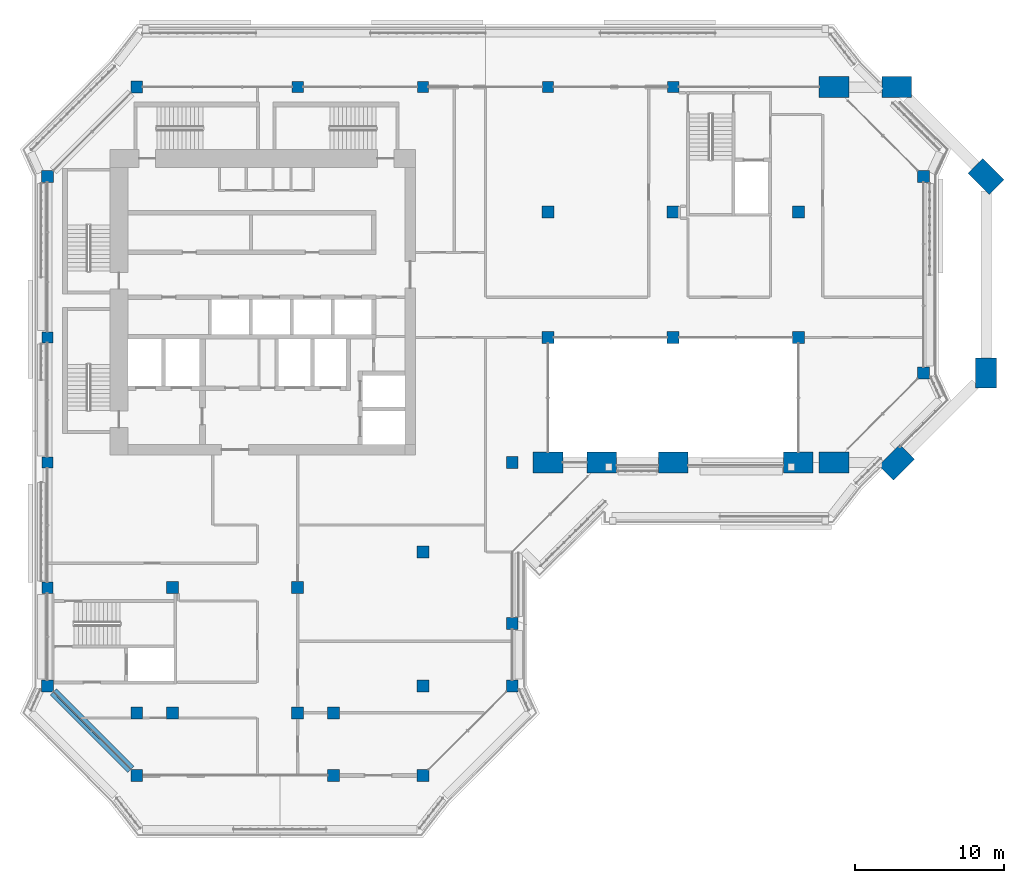
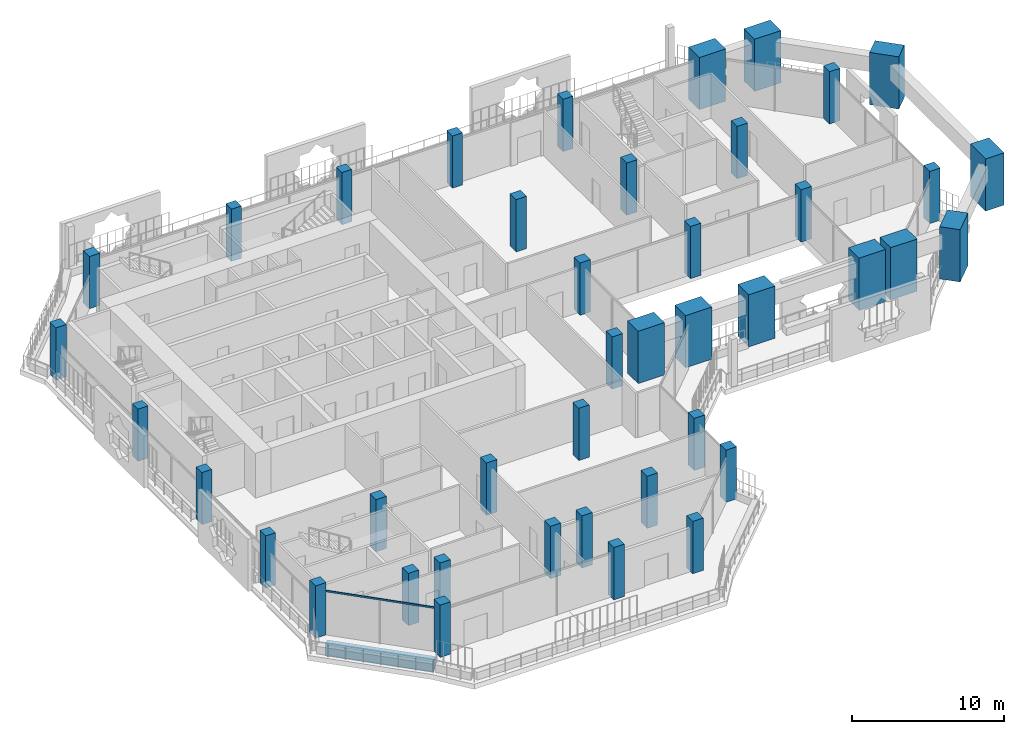
# One storey, part 1 of 22: 42 columns, 1 beam, 1 member, 1 element without a shape of its own.
"""IFC4 building model written with IfcOpenShell, lengths in metres."""

from ifc_helpers import new_model, si_unit, direction, frame, origin, origin_2d, place, context, subcontext, project, spatial, rectangle, extrude, material, layer, layer_set, material_profile, profile_set, type_object, element, aggregate, save


model = new_model("IFC4")

# Units and contexts
model_context = context("Model", 3, precision=1e-05, world=origin(), true_north=direction((0.0, 1.0)))
body_context = subcontext(model_context, "Body", "Model", "MODEL_VIEW")
ifc_project = project(units=[si_unit("LENGTHUNIT", "METRE"), si_unit("AREAUNIT", "SQUARE_METRE"), si_unit("VOLUMEUNIT", "CUBIC_METRE"), si_unit("PLANEANGLEUNIT", "RADIAN"), si_unit("MASSUNIT", "GRAM", prefix="KILO")], contexts=[model_context])

# Site, building, storey
site_placement = place(None, origin())
site = spatial("IfcSite", under=ifc_project, at=site_placement, CompositionType="ELEMENT")
building_placement = place(site_placement, origin())
building = spatial("IfcBuilding", under=site, at=building_placement, Name="Kawkab Arch Medical Tower", CompositionType="ELEMENT")
storey_placement = place(building_placement, frame((0.0, 0.0, 286.0)))
storey = spatial("IfcBuildingStorey", under=building, at=storey_placement, Name="L66", CompositionType="ELEMENT", Elevation=286.0)

# Columns
ifc_material_1 = material(Name="Concrete C40/50", Category="concrete")
ifc_material_profile_1 = material_profile(ifc_material_1, rectangle(XDim=2.0, YDim=1.39990234375, at=origin_2d()), Name="RC 2000x1400")
ifc_profile_set_1 = profile_set([ifc_material_profile_1], Name="Concrete C40/50")
column_type_1 = type_object("IfcColumnType", Name="RC 2000x1400 column C40/50", PredefinedType="COLUMN", material=ifc_profile_set_1)
for number, where, z_axis, x_axis, name in (
    (1, (52.800048828125, 0.0, 0.0), (0.0, 0.0, 1.0), (1.0, 0.0, 0.0), "Column RC 2000x1400"),
    (2, (42.0, -25.199951171875, 0.0), (0.0, 0.0, 1.0), (-1.0, 0.0, 0.0), "Column RC 2000x1400"),
    (3, (52.800048828125, -25.199951171875, 0.0), (0.0, 0.0, 1.0), (-1.0, 0.0, 0.0), "Column RC 2000x1400"),
    (4, (50.39990234375, -25.199951171875, 0.0), (0.0, 0.0, 1.0), (-1.0, 0.0, 0.0), "Column RC 2000x1400"),
    (5, (37.199951171875, -25.199951171875, 0.0), (0.0, 0.0, 1.0), (-1.0, 0.0, 0.0), "Column RC 2000x1400"),
    (6, (33.60009765625, -25.199951171875, 0.0), (0.0, 0.0, 1.0), (-1.0, 0.0, 0.0), "Column RC 2000x1400"),
    (7, (57.0, 0.0, 0.0), (0.0, 0.0, 1.0), (1.0, 0.0, 0.0), "Column RC 2000x1400"),
    (8, (63.0, -6.0, 0.0), (0.0, 0.0, 1.0), (0.707106781187, -0.707106781187, 0.0), "Column RC 2000x1400"),
    (9, (63.0, -19.199951171875, 0.0), (0.0, 0.0, 1.0), (0.0, -1.0, 0.0), "Column RC 2000x1400"),
    (10, (57.0, -25.199951171875, 0.0), (0.0, 0.0, 1.0), (-0.707106781187, -0.707106781187, 0.0), "Column RC 2000x1400"),
):
    element("IfcColumn", number, at=place(storey_placement, frame(where, z_axis=z_axis, x_axis=x_axis)), inside=storey, type_object=column_type_1, Name=name, PredefinedType="COLUMN", context=body_context, shape_type="SweptSolid", body=[
        extrude(rectangle(XDim=2.0, YDim=1.39990234375, at=origin_2d()), origin(), (0.0, 0.0, 1.0), 4.199951171875),
    ])
ifc_material_2 = material(Name="Concrete C40/50", Category="concrete")
ifc_material_profile_2 = material_profile(ifc_material_2, rectangle(XDim=0.75, YDim=0.75, at=origin_2d()), Name="RC 750x750")
ifc_profile_set_2 = profile_set([ifc_material_profile_2], Name="Concrete C40/50")
column_type_2 = type_object("IfcColumnType", Name="RC 750x750 column C40/50", PredefinedType="COLUMN", material=ifc_profile_set_2)
for number, where, z_axis, x_axis, name in (
    (11, (16.800048828125, 0.0, 0.0), (0.0, 0.0, 1.0), (1.0, 0.0, 0.0), "Column RC 750x750"),
    (12, (25.199951171875, 0.0, 0.0), (0.0, 0.0, 1.0), (1.0, 0.0, 0.0), "Column RC 750x750"),
    (13, (33.60009765625, 0.0, 0.0), (0.0, 0.0, 1.0), (1.0, 0.0, 0.0), "Column RC 750x750"),
    (14, (42.0, 0.0, 0.0), (0.0, 0.0, 1.0), (1.0, 0.0, 0.0), "Column RC 750x750"),
    (15, (0.0, -16.800048828125, 0.0), (0.0, 0.0, 1.0), (1.0, 0.0, 0.0), "Column RC 750x750"),
    (16, (0.0, -25.199951171875, 0.0), (0.0, 0.0, 1.0), (1.0, 0.0, 0.0), "Column RC 750x750"),
    (17, (0.0, -33.60009765625, 0.0), (0.0, 0.0, 1.0), (1.0, 0.0, 0.0), "Column RC 750x750"),
):
    element("IfcColumn", number, at=place(storey_placement, frame(where, z_axis=z_axis, x_axis=x_axis)), inside=storey, type_object=column_type_2, Name=name, PredefinedType="COLUMN", context=body_context, shape_type="SweptSolid", body=[
        extrude(rectangle(XDim=0.75, YDim=0.75, at=origin_2d()), origin(), (0.0, 0.0, 1.0), 4.199951171875),
    ])
ifc_material_3 = material(Name="Concrete C40/50", Category="concrete")
ifc_material_profile_3 = material_profile(ifc_material_3, rectangle(XDim=0.800048828125, YDim=0.800048828125, at=origin_2d()), Name="RC 800x800")
ifc_profile_set_3 = profile_set([ifc_material_profile_3], Name="Concrete C40/50")
column_type_3 = type_object("IfcColumnType", Name="RC 800x800 column C40/50", PredefinedType="COLUMN", material=ifc_profile_set_3)
for number, where, z_axis, x_axis, name in (
    (18, (6.0, 0.0, 0.0), (0.0, 0.0, 1.0), (1.0, 0.0, 0.0), "Column RC 800x800"),
    (19, (0.0, -6.0, 0.0), (0.0, 0.0, 1.0), (1.0, 0.0, 0.0), "Column RC 800x800"),
    (20, (58.800048828125, -6.0, 0.0), (0.0, 0.0, 1.0), (1.0, 0.0, 0.0), "Column RC 800x800"),
    (21, (33.60009765625, -8.39990234375, 0.0), (0.0, 0.0, 1.0), (1.0, 0.0, 0.0), "Column RC 800x800"),
    (22, (42.0, -8.39990234375, 0.0), (0.0, 0.0, 1.0), (1.0, 0.0, 0.0), "Column RC 800x800"),
    (23, (50.39990234375, -8.39990234375, 0.0), (0.0, 0.0, 1.0), (1.0, 0.0, 0.0), "Column RC 800x800"),
    (24, (33.60009765625, -16.800048828125, 0.0), (0.0, 0.0, 1.0), (1.0, 0.0, 0.0), "Column RC 800x800"),
    (25, (42.0, -16.800048828125, 0.0), (0.0, 0.0, 1.0), (1.0, 0.0, 0.0), "Column RC 800x800"),
    (26, (50.39990234375, -16.800048828125, 0.0), (0.0, 0.0, 1.0), (1.0, 0.0, 0.0), "Column RC 800x800"),
    (27, (58.800048828125, -19.199951171875, 0.0), (0.0, 0.0, 1.0), (1.0, 0.0, 0.0), "Column RC 800x800"),
    (28, (31.199951171875, -25.199951171875, 0.0), (0.0, 0.0, 1.0), (1.0, 0.0, 0.0), "Column RC 800x800"),
    (29, (25.199951171875, -31.199951171875, 0.0), (0.0, 0.0, 1.0), (1.0, 0.0, 0.0), "Column RC 800x800"),
    (30, (8.39990234375, -33.60009765625, 0.0), (0.0, 0.0, 1.0), (1.0, 0.0, 0.0), "Column RC 800x800"),
    (31, (16.800048828125, -33.60009765625, 0.0), (0.0, 0.0, 1.0), (1.0, 0.0, 0.0), "Column RC 800x800"),
    (32, (0.0, -40.199951171875, 0.0), (0.0, 0.0, 1.0), (1.0, 0.0, 0.0), "Column RC 800x800"),
    (33, (25.199951171875, -40.199951171875, 0.0), (0.0, 0.0, 1.0), (1.0, 0.0, 0.0), "Column RC 800x800"),
    (34, (6.0, -42.0, 0.0), (0.0, 0.0, 1.0), (1.0, 0.0, 0.0), "Column RC 800x800"),
    (35, (8.39990234375, -42.0, 0.0), (0.0, 0.0, 1.0), (1.0, 0.0, 0.0), "Column RC 800x800"),
    (36, (16.800048828125, -42.0, 0.0), (0.0, 0.0, 1.0), (1.0, 0.0, 0.0), "Column RC 800x800"),
    (37, (19.199951171875, -42.0, 0.0), (0.0, 0.0, 1.0), (1.0, 0.0, 0.0), "Column RC 800x800"),
    (38, (6.0, -46.199951171875, 0.0), (0.0, 0.0, 1.0), (1.0, 0.0, 0.0), "Column RC 800x800"),
    (39, (19.199951171875, -46.199951171875, 0.0), (0.0, 0.0, 1.0), (1.0, 0.0, 0.0), "Column RC 800x800"),
    (40, (31.199951171875, -36.0, 0.0), (0.0, 0.0, 1.0), (1.0, 0.0, 0.0), "Column RC 800x800"),
    (41, (31.199951171875, -40.199951171875, 0.0), (0.0, 0.0, 1.0), (1.0, 0.0, 0.0), "Column RC 800x800"),
    (42, (25.199951171875, -46.199951171875, 0.0), (0.0, 0.0, 1.0), (1.0, 0.0, 0.0), "Column RC 800x800"),
):
    element("IfcColumn", number, at=place(storey_placement, frame(where, z_axis=z_axis, x_axis=x_axis)), inside=storey, type_object=column_type_3, Name=name, PredefinedType="COLUMN", context=body_context, shape_type="SweptSolid", body=[
        extrude(rectangle(XDim=0.800048828125, YDim=0.800048828125, at=origin_2d()), origin(), (0.0, 0.0, 1.0), 4.199951171875),
    ])

# Curtain wall, member
ifc_material_4 = material(Name="Bronze anodised aluminium curtain wall frame", Category="aluminium")
ifc_layer = layer(ifc_material_4, 0.159912109375)
ifc_layer_set = layer_set([ifc_layer], Name="Bronze anodised aluminium curtain wall frame")
curtain_wall_type = type_object("IfcCurtainWallType", Name="CW2 chamfer curtain wall", PredefinedType="NOTDEFINED", material=ifc_layer_set)
curtain_wall_placement = place(storey_placement, origin())
curtain_wall = element("IfcCurtainWall", 43, at=curtain_wall_placement, inside=storey, type_object=curtain_wall_type, Name="CW2 Chamfer curtain wall R13", PredefinedType="NOTDEFINED")
ifc_material_5 = material(Name="Bronze anodised aluminium curtain wall frame", Category="aluminium")
ifc_material_profile_4 = material_profile(ifc_material_5, rectangle(XDim=0.06005859375, YDim=0.139892578125, at=origin_2d()), Name="AL 60x140")
ifc_profile_set_4 = profile_set([ifc_material_profile_4], Name="Bronze anodised aluminium curtain wall frame")
member_type = type_object("IfcMemberType", Name="CW2 transom 140 x 60", PredefinedType="USERDEFINED", material=ifc_profile_set_4)
member_placement = place(storey_placement, frame((0.39990234375, -40.60009765625, 3.530029296875), z_axis=(0.707123380132, -0.707090181851, 0.0), x_axis=(0.707090181851, 0.707123380132, 0.0)))
member = element("IfcMember", 44, at=member_placement, type_object=member_type, Name="CW2 transom 1", ObjectType="TRANSOM", PredefinedType="USERDEFINED", context=body_context, shape_type="SweptSolid", body=[
    extrude(rectangle(XDim=0.06005859375, YDim=0.139892578125, at=origin_2d()), origin(), (0.0, 0.0, 1.0), 7.35400390625),
])
aggregate(curtain_wall, [member])

# Beam
ifc_material_6 = material(Name="Concrete C40/50", Category="concrete")
ifc_material_profile_5 = material_profile(ifc_material_6, rectangle(XDim=0.60009765625, YDim=0.89990234375, at=origin_2d()), Name="RC 600x900")
ifc_profile_set_5 = profile_set([ifc_material_profile_5], Name="Concrete C40/50")
beam_type = type_object("IfcBeamType", Name="RC 600x900 beam C40/50", PredefinedType="BEAM", material=ifc_profile_set_5)
beam_placement = place(storey_placement, frame((5.60009765625, -45.800048828125, -1.050048828125), z_axis=(-0.707123380132, 0.707090181851, 0.0), x_axis=(-0.707090181851, -0.707123380132, 0.0)))
element("IfcBeam", 45, at=beam_placement, inside=storey, type_object=beam_type, Name="Overhang edge beam L66-02", PredefinedType="BEAM", context=body_context, shape_type="SweptSolid", body=[
    extrude(rectangle(XDim=0.60009765625, YDim=0.89990234375, at=origin_2d()), origin(), (0.0, 0.0, 1.0), 7.35400390625),
])

save(model, "model.ifc")
